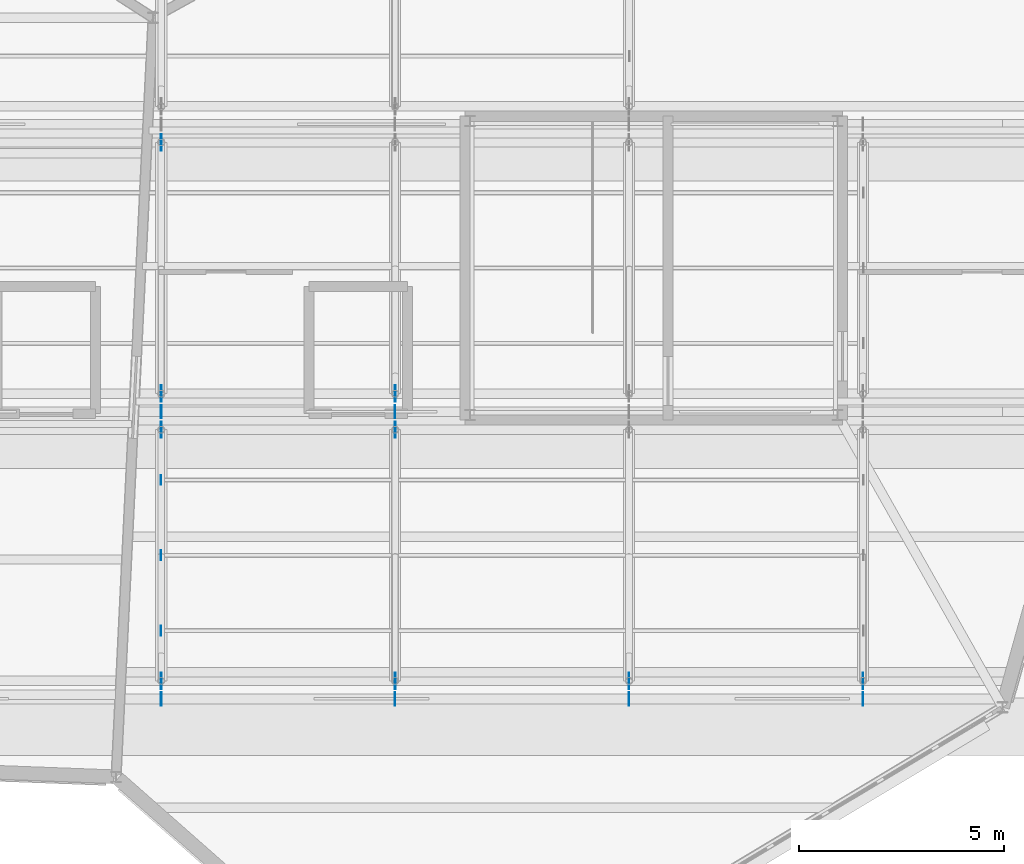
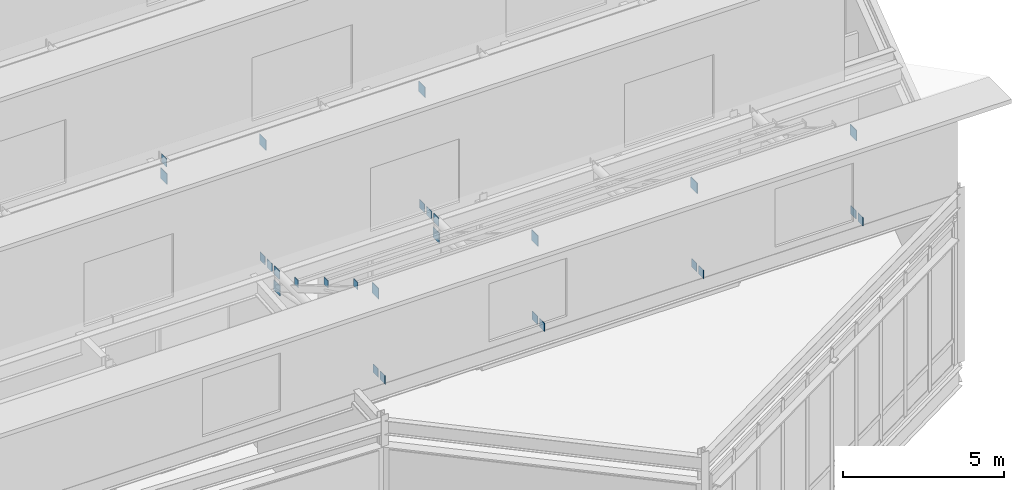
# One storey, part 46 of 55: 27 plates.
"""IFC4 building model written with IfcOpenShell, lengths in metres."""

from ifc_helpers import new_model, si_unit, direction, frame, origin, origin_2d, place, context, subcontext, project, spatial, rectangle, extrude, material, layer, layer_set, type_object, element, save


model = new_model("IFC4")

# Units and contexts
model_context = context("Model", 3, precision=1e-05, world=origin(), true_north=direction((0.0, 1.0)))
body_context = subcontext(model_context, "Body", "Model", "MODEL_VIEW")
ifc_project = project(units=[si_unit("LENGTHUNIT", "METRE"), si_unit("AREAUNIT", "SQUARE_METRE"), si_unit("VOLUMEUNIT", "CUBIC_METRE"), si_unit("PLANEANGLEUNIT", "RADIAN"), si_unit("MASSUNIT", "GRAM", prefix="KILO")], contexts=[model_context])

# Site, building, storey
site_placement = place(None, origin())
site = spatial("IfcSite", under=ifc_project, at=site_placement, CompositionType="ELEMENT")
building_placement = place(site_placement, origin())
building = spatial("IfcBuilding", under=site, at=building_placement, Name="Tameran Prism Museum", CompositionType="ELEMENT")
storey_placement = place(building_placement, frame((0.0, 0.0, 28.800048828125)))
storey = spatial("IfcBuildingStorey", under=building, at=storey_placement, Name="L05", CompositionType="ELEMENT", Elevation=28.800048828125)

# Plates
ifc_material_1 = material(Name="Steel Grade 350 (350 MPa)", Category="steel")
ifc_layer_1 = layer(ifc_material_1, 0.01611328125)
ifc_layer_set_1 = layer_set([ifc_layer_1])
plate_type_1 = type_object("IfcPlateType", Name="PL-CAP-16", PredefinedType="USERDEFINED", material=ifc_layer_set_1)
for number, where, z_axis, x_axis, name in (
    (1, (118.991943359375, 74.1640625, 8.77392578125), (0.0, 0.0, 1.0), (1.0, 0.0, 0.0), "Purlin End Cap Plate PR-001 W"),
    (2, (118.991943359375, 76.0, 7.72314453125), (0.0, 0.0, 1.0), (1.0, 0.0, 0.0), "Purlin End Cap Plate PR-002 W"),
    (3, (118.991943359375, 77.8359375, 6.61376953125), (0.0, 0.0, 1.0), (1.0, 0.0, 0.0), "Purlin End Cap Plate PR-003 W"),
):
    element("IfcPlate", number, at=place(storey_placement, frame(where, z_axis=z_axis, x_axis=x_axis)), inside=storey, type_object=plate_type_1, Name=name, ObjectType="GUSSET PLATE", PredefinedType="USERDEFINED", context=body_context, shape_type="SweptSolid", body=[
        extrude(rectangle(XDim=0.01611328125, YDim=0.239990234375, at=origin_2d()), origin(), (0.0, 0.0, 1.0), 0.280029296875),
    ])
for number, where, z_axis, x_axis, name in (
    (4, (119.0, 72.93994140625, 6.22607421875), (0.0, 0.0, 1.0), (1.0, 0.0, 0.0), "Truss Node Gusset Plate GP-0003"),
    (5, (119.0, 79.06005859375, 6.22607421875), (0.0, 0.0, 1.0), (1.0, 0.0, 0.0), "Truss Node Gusset Plate GP-0004"),
    (6, (119.0, 72.5, 6.22607421875), (0.0, 0.0, 1.0), (1.0, 0.0, 0.0), "Truss Node Gusset Plate GP-0005"),
    (7, (119.0, 79.5, 6.22607421875), (0.0, 0.0, 1.0), (1.0, 0.0, 0.0), "Truss Node Gusset Plate GP-0006"),
    (8, (124.699951171875, 72.93994140625, 6.22607421875), (0.0, 0.0, 1.0), (1.0, 0.0, 0.0), "Truss Node Gusset Plate GP-0009"),
    (9, (124.699951171875, 79.06005859375, 6.22607421875), (0.0, 0.0, 1.0), (1.0, 0.0, 0.0), "Truss Node Gusset Plate GP-0010"),
    (10, (124.699951171875, 72.5, 6.22607421875), (0.0, 0.0, 1.0), (1.0, 0.0, 0.0), "Truss Node Gusset Plate GP-0011"),
    (11, (124.699951171875, 79.5, 6.22607421875), (0.0, 0.0, 1.0), (1.0, 0.0, 0.0), "Truss Node Gusset Plate GP-0012"),
    (12, (130.39990234375, 72.93994140625, 6.22607421875), (0.0, 0.0, 1.0), (1.0, 0.0, 0.0), "Truss Node Gusset Plate GP-0015"),
    (13, (130.39990234375, 72.5, 6.22607421875), (0.0, 0.0, 1.0), (1.0, 0.0, 0.0), "Truss Node Gusset Plate GP-0017"),
    (14, (136.10009765625, 72.93994140625, 6.22607421875), (0.0, 0.0, 1.0), (1.0, 0.0, 0.0), "Truss Node Gusset Plate GP-0021"),
    (15, (136.10009765625, 72.5, 6.22607421875), (0.0, 0.0, 1.0), (1.0, 0.0, 0.0), "Truss Node Gusset Plate GP-0023"),
    (16, (119.0, 79.93994140625, 6.22607421875), (0.0, 0.0, 1.0), (1.0, 0.0, 0.0), "Truss Node Gusset Plate GP-0045"),
    (17, (119.0, 86.06005859375, 6.22607421875), (0.0, 0.0, 1.0), (1.0, 0.0, 0.0), "Truss Node Gusset Plate GP-0046"),
    (18, (124.699951171875, 79.93994140625, 6.22607421875), (0.0, 0.0, 1.0), (1.0, 0.0, 0.0), "Truss Node Gusset Plate GP-0050"),
):
    element("IfcPlate", number, at=place(storey_placement, frame(where, z_axis=z_axis, x_axis=x_axis)), inside=storey, type_object=plate_type_1, Name=name, ObjectType="GUSSET PLATE", PredefinedType="USERDEFINED", context=body_context, shape_type="SweptSolid", body=[
        extrude(rectangle(XDim=0.01611328125, YDim=0.320068359375, at=origin_2d()), origin(), (0.0, 0.0, 1.0), 0.320068359375),
    ])
ifc_material_2 = material(Name="Steel Grade 350 (350 MPa)", Category="steel")
ifc_layer_2 = layer(ifc_material_2, 0.02001953125)
ifc_layer_set_2 = layer_set([ifc_layer_2])
plate_type_2 = type_object("IfcPlateType", Name="PL-GUS-20", PredefinedType="USERDEFINED", material=ifc_layer_set_2)
for number, where, z_axis, x_axis, name in (
    (19, (119.0, 72.93994140625, 9.208984375), (0.0, 0.0, 1.0), (1.0, 0.0, 0.0), "Truss Node Gusset Plate GP-0001"),
    (20, (119.0, 79.06005859375, 5.60888671875), (0.0, 0.0, 1.0), (1.0, 0.0, 0.0), "Truss Node Gusset Plate GP-0002"),
    (21, (124.699951171875, 72.93994140625, 9.208984375), (0.0, 0.0, 1.0), (1.0, 0.0, 0.0), "Truss Node Gusset Plate GP-0007"),
    (22, (124.699951171875, 79.06005859375, 5.60888671875), (0.0, 0.0, 1.0), (1.0, 0.0, 0.0), "Truss Node Gusset Plate GP-0008"),
    (23, (130.39990234375, 72.93994140625, 9.208984375), (0.0, 0.0, 1.0), (1.0, 0.0, 0.0), "Truss Node Gusset Plate GP-0013"),
    (24, (136.10009765625, 72.93994140625, 9.208984375), (0.0, 0.0, 1.0), (1.0, 0.0, 0.0), "Truss Node Gusset Plate GP-0019"),
    (25, (119.0, 79.93994140625, 10.587890625), (0.0, 0.0, 1.0), (1.0, 0.0, 0.0), "Truss Node Gusset Plate GP-0043"),
    (26, (119.0, 86.06005859375, 5.587890625), (0.0, 0.0, 1.0), (1.0, 0.0, 0.0), "Truss Node Gusset Plate GP-0044"),
    (27, (124.699951171875, 79.93994140625, 10.587890625), (0.0, 0.0, 1.0), (1.0, 0.0, 0.0), "Truss Node Gusset Plate GP-0048"),
):
    element("IfcPlate", number, at=place(storey_placement, frame(where, z_axis=z_axis, x_axis=x_axis)), inside=storey, type_object=plate_type_2, Name=name, ObjectType="GUSSET PLATE", PredefinedType="USERDEFINED", context=body_context, shape_type="SweptSolid", body=[
        extrude(rectangle(XDim=0.02001953125, YDim=0.39990234375, at=origin_2d()), origin(), (0.0, 0.0, 1.0), 0.39990234375),
    ])

save(model, "model.ifc")
